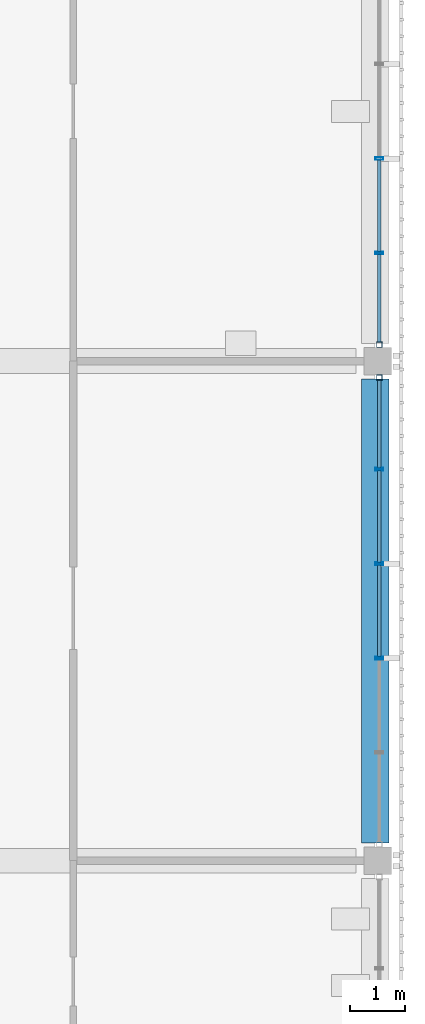
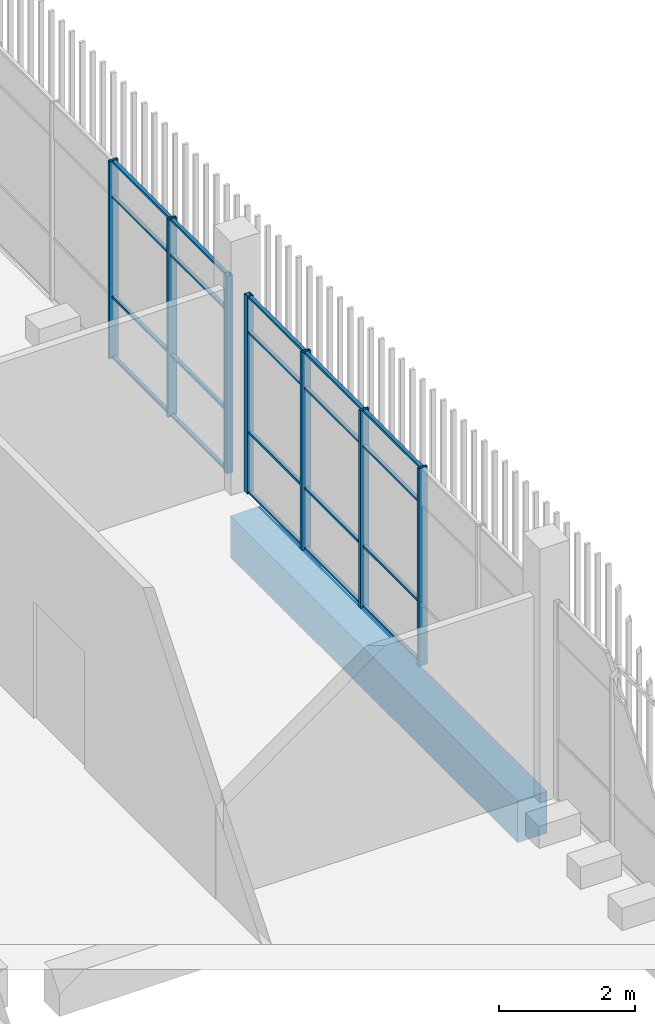
# One storey, part 58 of 139: 27 members, 1 beam, 2 elements without a shape of their own.
"""IFC4 building model written with IfcOpenShell, lengths in metres."""

from ifc_helpers import new_model, si_unit, direction, frame, origin, origin_2d, place, context, subcontext, project, spatial, rectangle, hollow_rectangle, extrude, material, layer, layer_set, material_profile, profile_set, type_object, element, aggregate, save


model = new_model("IFC4")

# Units and contexts
model_context = context("Model", 3, precision=1e-05, world=origin(), true_north=direction((0.0, 1.0)))
body_context = subcontext(model_context, "Body", "Model", "MODEL_VIEW")
ifc_project = project(units=[si_unit("LENGTHUNIT", "METRE"), si_unit("AREAUNIT", "SQUARE_METRE"), si_unit("VOLUMEUNIT", "CUBIC_METRE"), si_unit("PLANEANGLEUNIT", "RADIAN"), si_unit("MASSUNIT", "GRAM", prefix="KILO")], contexts=[model_context])

# Site, building, storey
site_placement = place(None, origin())
site = spatial("IfcSite", under=ifc_project, at=site_placement, CompositionType="ELEMENT")
building_placement = place(site_placement, origin())
building = spatial("IfcBuilding", under=site, at=building_placement, Name="Shirokan Park Arena", CompositionType="ELEMENT")
storey_placement = place(building_placement, frame((0.0, 0.0, 15.469970703125)))
storey = spatial("IfcBuildingStorey", under=building, at=storey_placement, Name="L03", CompositionType="ELEMENT", Elevation=15.469970703125)

# Curtain wall, member
ifc_material_1 = material(Name="Steel and glass curtain wall", Category="steel")
ifc_layer = layer(ifc_material_1, 0.14990234375)
ifc_layer_set = layer_set([ifc_layer], Name="Steel and glass curtain wall 150 mm")
curtain_wall_type = type_object("IfcCurtainWallType", Name="Curtain wall exposed bay 150", PredefinedType="NOTDEFINED", material=ifc_layer_set)
curtain_wall_1_placement = place(storey_placement, origin())
curtain_wall_1 = element("IfcCurtainWall", 1, at=curtain_wall_1_placement, inside=storey, type_object=curtain_wall_type, Name="Curtain wall east bay 6 L03", PredefinedType="NOTDEFINED")
ifc_material_2 = material(Name="Steel S355", Category="steel")
ifc_material_profile_1 = material_profile(ifc_material_2, hollow_rectangle(XDim=0.10009765625, YDim=0.10009765625, WallThickness=0.006103515625, at=origin_2d()), Name="RHS 100x100x6")
ifc_profile_set_1 = profile_set([ifc_material_profile_1], Name="Steel S355")
member_type_1 = type_object("IfcMemberType", Name="Mullion RHS 100x100x6", PredefinedType="MULLION", material=ifc_profile_set_1)
member_1_placement = place(storey_placement, frame((145.675048828125, 54.300048828125, 0.0), z_axis=(0.0, 0.0, 1.0), x_axis=(-1.0, 0.0, 0.0)))
member_1 = element("IfcMember", 2, at=member_1_placement, type_object=member_type_1, Name="CW1 mullion 6", PredefinedType="MULLION", context=body_context, shape_type="SweptSolid", body=[
    extrude(hollow_rectangle(XDim=0.10009765625, YDim=0.10009765625, WallThickness=0.006103515625, at=origin_2d()), origin(), (0.0, 0.0, 1.0), 3.550048828125),
])

curtain_wall_2_placement = place(storey_placement, origin())
curtain_wall_2 = element("IfcCurtainWall", 3, at=curtain_wall_2_placement, inside=storey, type_object=curtain_wall_type, Name="Curtain wall east bay 7 L03", PredefinedType="NOTDEFINED")
member_2_placement = place(storey_placement, frame((145.675048828125, 54.89990234375, 0.0), z_axis=(0.0, 0.0, 1.0), x_axis=(-1.0, 0.0, 0.0)))
member_2 = element("IfcMember", 4, at=member_2_placement, type_object=member_type_1, Name="CW1 mullion 1", PredefinedType="MULLION", context=body_context, shape_type="SweptSolid", body=[
    extrude(hollow_rectangle(XDim=0.10009765625, YDim=0.10009765625, WallThickness=0.006103515625, at=origin_2d()), origin(), (0.0, 0.0, 1.0), 3.550048828125),
])

# Member
ifc_material_profile_2 = material_profile(ifc_material_2, hollow_rectangle(XDim=0.14990234375, YDim=0.050048828125, WallThickness=0.006103515625, at=origin_2d()), Name="RHS 150x50x6")
ifc_profile_set_2 = profile_set([ifc_material_profile_2], Name="Steel S355")
member_type_2 = type_object("IfcMemberType", Name="Mullion RHS 150x50x6", PredefinedType="MULLION", material=ifc_profile_set_2)
member_3_placement = place(storey_placement, frame((145.675048828125, 49.18994140625, 0.0), z_axis=(0.0, 0.0, 1.0), x_axis=(-1.0, 0.0, 0.0)))
member_3 = element("IfcMember", 5, at=member_3_placement, type_object=member_type_2, Name="CW1 mullion 3", PredefinedType="MULLION", context=body_context, shape_type="SweptSolid", body=[
    extrude(hollow_rectangle(XDim=0.14990234375, YDim=0.050048828125, WallThickness=0.006103515625, at=origin_2d()), origin(), (0.0, 0.0, 1.0), 3.550048828125),
])

member_4_placement = place(storey_placement, frame((145.675048828125, 50.909912109375, 0.0), z_axis=(0.0, 0.0, 1.0), x_axis=(-1.0, 0.0, 0.0)))
member_4 = element("IfcMember", 6, at=member_4_placement, type_object=member_type_2, Name="CW1 mullion 4", PredefinedType="MULLION", context=body_context, shape_type="SweptSolid", body=[
    extrude(hollow_rectangle(XDim=0.14990234375, YDim=0.050048828125, WallThickness=0.006103515625, at=origin_2d()), origin(), (0.0, 0.0, 1.0), 3.550048828125),
])

member_5_placement = place(storey_placement, frame((145.675048828125, 52.6298828125, 0.0), z_axis=(0.0, 0.0, 1.0), x_axis=(-1.0, 0.0, 0.0)))
member_5 = element("IfcMember", 7, at=member_5_placement, type_object=member_type_2, Name="CW1 mullion 5", PredefinedType="MULLION", context=body_context, shape_type="SweptSolid", body=[
    extrude(hollow_rectangle(XDim=0.14990234375, YDim=0.050048828125, WallThickness=0.006103515625, at=origin_2d()), origin(), (0.0, 0.0, 1.0), 3.550048828125),
])

member_6_placement = place(storey_placement, frame((145.675048828125, 56.570068359375, 0.0), z_axis=(0.0, 0.0, 1.0), x_axis=(-1.0, 0.0, 0.0)))
member_6 = element("IfcMember", 8, at=member_6_placement, type_object=member_type_2, Name="CW1 mullion 2", PredefinedType="MULLION", context=body_context, shape_type="SweptSolid", body=[
    extrude(hollow_rectangle(XDim=0.14990234375, YDim=0.050048828125, WallThickness=0.006103515625, at=origin_2d()), origin(), (0.0, 0.0, 1.0), 3.550048828125),
])

member_7_placement = place(storey_placement, frame((145.675048828125, 58.2900390625, 0.0), z_axis=(0.0, 0.0, 1.0), x_axis=(-1.0, 0.0, 0.0)))
member_7 = element("IfcMember", 9, at=member_7_placement, type_object=member_type_2, Name="CW1 mullion 3", PredefinedType="MULLION", context=body_context, shape_type="SweptSolid", body=[
    extrude(hollow_rectangle(XDim=0.14990234375, YDim=0.050048828125, WallThickness=0.006103515625, at=origin_2d()), origin(), (0.0, 0.0, 1.0), 3.550048828125),
])

# Beam
ifc_material_3 = material(Name="Concrete C35", Category="concrete")
ifc_material_profile_3 = material_profile(ifc_material_3, rectangle(XDim=0.5, YDim=0.75, at=origin_2d()), Name="500x750")
ifc_profile_set_3 = profile_set([ifc_material_profile_3], Name="Concrete C35")
beam_type = type_object("IfcBeamType", Name="RC girder 500x750", PredefinedType="BEAM", material=ifc_profile_set_3)
beam_placement = place(storey_placement, frame((145.60009765625, 45.8251953125, -0.675048828125), z_axis=(0.0, 1.0, 0.0), x_axis=(-1.0, 0.0, 0.0)))
element("IfcBeam", 10, at=beam_placement, inside=storey, type_object=beam_type, Name="Girder 17F-17G L03", PredefinedType="BEAM", context=body_context, shape_type="SweptSolid", body=[
    extrude(rectangle(XDim=0.5, YDim=0.75, at=origin_2d()), origin(), (0.0, 0.0, 1.0), 8.44970703125),
])

# Member
ifc_material_profile_4 = material_profile(ifc_material_2, hollow_rectangle(XDim=0.06005859375, YDim=0.0400390625, WallThickness=0.00390625, at=origin_2d()), Name="RHS 60x40x4")
ifc_profile_set_4 = profile_set([ifc_material_profile_4], Name="Steel S355")
member_type_3 = type_object("IfcMemberType", Name="Transom RHS 60x40x4", PredefinedType="MULLION", material=ifc_profile_set_4)
member_8_placement = place(storey_placement, frame((145.675048828125, 49.215087890625, 0.02001953125), z_axis=(0.0, 1.0, 0.0), x_axis=(-1.0, 0.0, 0.0)))
member_8 = element("IfcMember", 11, at=member_8_placement, type_object=member_type_3, Name="CW1 transom 3.1", PredefinedType="MULLION", context=body_context, shape_type="SweptSolid", body=[
    extrude(hollow_rectangle(XDim=0.06005859375, YDim=0.0400390625, WallThickness=0.00390625, at=origin_2d()), origin(), (0.0, 0.0, 1.0), 1.669921875),
])

member_9_placement = place(storey_placement, frame((145.675048828125, 49.215087890625, 1.10009765625), z_axis=(0.0, 1.0, 0.0), x_axis=(-1.0, 0.0, 0.0)))
member_9 = element("IfcMember", 12, at=member_9_placement, type_object=member_type_3, Name="CW1 transom 3.2", PredefinedType="MULLION", context=body_context, shape_type="SweptSolid", body=[
    extrude(hollow_rectangle(XDim=0.06005859375, YDim=0.0400390625, WallThickness=0.00390625, at=origin_2d()), origin(), (0.0, 0.0, 1.0), 1.669921875),
])

member_10_placement = place(storey_placement, frame((145.675048828125, 49.215087890625, 2.900146484375), z_axis=(0.0, 1.0, 0.0), x_axis=(-1.0, 0.0, 0.0)))
member_10 = element("IfcMember", 13, at=member_10_placement, type_object=member_type_3, Name="CW1 transom 3.3", PredefinedType="MULLION", context=body_context, shape_type="SweptSolid", body=[
    extrude(hollow_rectangle(XDim=0.06005859375, YDim=0.0400390625, WallThickness=0.00390625, at=origin_2d()), origin(), (0.0, 0.0, 1.0), 1.669921875),
])

member_11_placement = place(storey_placement, frame((145.675048828125, 49.215087890625, 3.530029296875), z_axis=(0.0, 1.0, 0.0), x_axis=(-1.0, 0.0, 0.0)))
member_11 = element("IfcMember", 14, at=member_11_placement, type_object=member_type_3, Name="CW1 transom 3.4", PredefinedType="MULLION", context=body_context, shape_type="SweptSolid", body=[
    extrude(hollow_rectangle(XDim=0.06005859375, YDim=0.0400390625, WallThickness=0.00390625, at=origin_2d()), origin(), (0.0, 0.0, 1.0), 1.669921875),
])

member_12_placement = place(storey_placement, frame((145.675048828125, 50.93505859375, 0.02001953125), z_axis=(0.0, 1.0, 0.0), x_axis=(-1.0, 0.0, 0.0)))
member_12 = element("IfcMember", 15, at=member_12_placement, type_object=member_type_3, Name="CW1 transom 4.1", PredefinedType="MULLION", context=body_context, shape_type="SweptSolid", body=[
    extrude(hollow_rectangle(XDim=0.06005859375, YDim=0.0400390625, WallThickness=0.00390625, at=origin_2d()), origin(), (0.0, 0.0, 1.0), 1.669921875),
])

member_13_placement = place(storey_placement, frame((145.675048828125, 50.93505859375, 1.10009765625), z_axis=(0.0, 1.0, 0.0), x_axis=(-1.0, 0.0, 0.0)))
member_13 = element("IfcMember", 16, at=member_13_placement, type_object=member_type_3, Name="CW1 transom 4.2", PredefinedType="MULLION", context=body_context, shape_type="SweptSolid", body=[
    extrude(hollow_rectangle(XDim=0.06005859375, YDim=0.0400390625, WallThickness=0.00390625, at=origin_2d()), origin(), (0.0, 0.0, 1.0), 1.669921875),
])

member_14_placement = place(storey_placement, frame((145.675048828125, 50.93505859375, 2.900146484375), z_axis=(0.0, 1.0, 0.0), x_axis=(-1.0, 0.0, 0.0)))
member_14 = element("IfcMember", 17, at=member_14_placement, type_object=member_type_3, Name="CW1 transom 4.3", PredefinedType="MULLION", context=body_context, shape_type="SweptSolid", body=[
    extrude(hollow_rectangle(XDim=0.06005859375, YDim=0.0400390625, WallThickness=0.00390625, at=origin_2d()), origin(), (0.0, 0.0, 1.0), 1.669921875),
])

member_15_placement = place(storey_placement, frame((145.675048828125, 50.93505859375, 3.530029296875), z_axis=(0.0, 1.0, 0.0), x_axis=(-1.0, 0.0, 0.0)))
member_15 = element("IfcMember", 18, at=member_15_placement, type_object=member_type_3, Name="CW1 transom 4.4", PredefinedType="MULLION", context=body_context, shape_type="SweptSolid", body=[
    extrude(hollow_rectangle(XDim=0.06005859375, YDim=0.0400390625, WallThickness=0.00390625, at=origin_2d()), origin(), (0.0, 0.0, 1.0), 1.669921875),
])

member_16_placement = place(storey_placement, frame((145.675048828125, 52.655029296875, 0.02001953125), z_axis=(0.0, 1.0, 0.0), x_axis=(-1.0, 0.0, 0.0)))
member_16 = element("IfcMember", 19, at=member_16_placement, type_object=member_type_3, Name="CW1 transom 5.1", PredefinedType="MULLION", context=body_context, shape_type="SweptSolid", body=[
    extrude(hollow_rectangle(XDim=0.06005859375, YDim=0.0400390625, WallThickness=0.00390625, at=origin_2d()), origin(), (0.0, 0.0, 1.0), 1.594970703125),
])

member_17_placement = place(storey_placement, frame((145.675048828125, 52.655029296875, 1.10009765625), z_axis=(0.0, 1.0, 0.0), x_axis=(-1.0, 0.0, 0.0)))
member_17 = element("IfcMember", 20, at=member_17_placement, type_object=member_type_3, Name="CW1 transom 5.2", PredefinedType="MULLION", context=body_context, shape_type="SweptSolid", body=[
    extrude(hollow_rectangle(XDim=0.06005859375, YDim=0.0400390625, WallThickness=0.00390625, at=origin_2d()), origin(), (0.0, 0.0, 1.0), 1.594970703125),
])

member_18_placement = place(storey_placement, frame((145.675048828125, 52.655029296875, 2.900146484375), z_axis=(0.0, 1.0, 0.0), x_axis=(-1.0, 0.0, 0.0)))
member_18 = element("IfcMember", 21, at=member_18_placement, type_object=member_type_3, Name="CW1 transom 5.3", PredefinedType="MULLION", context=body_context, shape_type="SweptSolid", body=[
    extrude(hollow_rectangle(XDim=0.06005859375, YDim=0.0400390625, WallThickness=0.00390625, at=origin_2d()), origin(), (0.0, 0.0, 1.0), 1.594970703125),
])

member_19_placement = place(storey_placement, frame((145.675048828125, 52.655029296875, 3.530029296875), z_axis=(0.0, 1.0, 0.0), x_axis=(-1.0, 0.0, 0.0)))
member_19 = element("IfcMember", 22, at=member_19_placement, type_object=member_type_3, Name="CW1 transom 5.4", PredefinedType="MULLION", context=body_context, shape_type="SweptSolid", body=[
    extrude(hollow_rectangle(XDim=0.06005859375, YDim=0.0400390625, WallThickness=0.00390625, at=origin_2d()), origin(), (0.0, 0.0, 1.0), 1.594970703125),
])

aggregate(curtain_wall_1, [member_3, member_4, member_5, member_1, member_8, member_9, member_10, member_11, member_12, member_13, member_14, member_15, member_16, member_17, member_18, member_19])

member_20_placement = place(storey_placement, frame((145.675048828125, 54.949951171875, 0.02001953125), z_axis=(0.0, 1.0, 0.0), x_axis=(-1.0, 0.0, 0.0)))
member_20 = element("IfcMember", 23, at=member_20_placement, type_object=member_type_3, Name="CW1 transom 1.1", PredefinedType="MULLION", context=body_context, shape_type="SweptSolid", body=[
    extrude(hollow_rectangle(XDim=0.06005859375, YDim=0.0400390625, WallThickness=0.00390625, at=origin_2d()), origin(), (0.0, 0.0, 1.0), 1.594970703125),
])

member_21_placement = place(storey_placement, frame((145.675048828125, 54.949951171875, 1.10009765625), z_axis=(0.0, 1.0, 0.0), x_axis=(-1.0, 0.0, 0.0)))
member_21 = element("IfcMember", 24, at=member_21_placement, type_object=member_type_3, Name="CW1 transom 1.2", PredefinedType="MULLION", context=body_context, shape_type="SweptSolid", body=[
    extrude(hollow_rectangle(XDim=0.06005859375, YDim=0.0400390625, WallThickness=0.00390625, at=origin_2d()), origin(), (0.0, 0.0, 1.0), 1.594970703125),
])

member_22_placement = place(storey_placement, frame((145.675048828125, 54.949951171875, 2.900146484375), z_axis=(0.0, 1.0, 0.0), x_axis=(-1.0, 0.0, 0.0)))
member_22 = element("IfcMember", 25, at=member_22_placement, type_object=member_type_3, Name="CW1 transom 1.3", PredefinedType="MULLION", context=body_context, shape_type="SweptSolid", body=[
    extrude(hollow_rectangle(XDim=0.06005859375, YDim=0.0400390625, WallThickness=0.00390625, at=origin_2d()), origin(), (0.0, 0.0, 1.0), 1.594970703125),
])

member_23_placement = place(storey_placement, frame((145.675048828125, 54.949951171875, 3.530029296875), z_axis=(0.0, 1.0, 0.0), x_axis=(-1.0, 0.0, 0.0)))
member_23 = element("IfcMember", 26, at=member_23_placement, type_object=member_type_3, Name="CW1 transom 1.4", PredefinedType="MULLION", context=body_context, shape_type="SweptSolid", body=[
    extrude(hollow_rectangle(XDim=0.06005859375, YDim=0.0400390625, WallThickness=0.00390625, at=origin_2d()), origin(), (0.0, 0.0, 1.0), 1.594970703125),
])

member_24_placement = place(storey_placement, frame((145.675048828125, 56.594970703125, 0.02001953125), z_axis=(0.0, 1.0, 0.0), x_axis=(-1.0, 0.0, 0.0)))
member_24 = element("IfcMember", 27, at=member_24_placement, type_object=member_type_3, Name="CW1 transom 2.1", PredefinedType="MULLION", context=body_context, shape_type="SweptSolid", body=[
    extrude(hollow_rectangle(XDim=0.06005859375, YDim=0.0400390625, WallThickness=0.00390625, at=origin_2d()), origin(), (0.0, 0.0, 1.0), 1.669921875),
])

member_25_placement = place(storey_placement, frame((145.675048828125, 56.594970703125, 1.10009765625), z_axis=(0.0, 1.0, 0.0), x_axis=(-1.0, 0.0, 0.0)))
member_25 = element("IfcMember", 28, at=member_25_placement, type_object=member_type_3, Name="CW1 transom 2.2", PredefinedType="MULLION", context=body_context, shape_type="SweptSolid", body=[
    extrude(hollow_rectangle(XDim=0.06005859375, YDim=0.0400390625, WallThickness=0.00390625, at=origin_2d()), origin(), (0.0, 0.0, 1.0), 1.669921875),
])

member_26_placement = place(storey_placement, frame((145.675048828125, 56.594970703125, 2.900146484375), z_axis=(0.0, 1.0, 0.0), x_axis=(-1.0, 0.0, 0.0)))
member_26 = element("IfcMember", 29, at=member_26_placement, type_object=member_type_3, Name="CW1 transom 2.3", PredefinedType="MULLION", context=body_context, shape_type="SweptSolid", body=[
    extrude(hollow_rectangle(XDim=0.06005859375, YDim=0.0400390625, WallThickness=0.00390625, at=origin_2d()), origin(), (0.0, 0.0, 1.0), 1.669921875),
])

member_27_placement = place(storey_placement, frame((145.675048828125, 56.594970703125, 3.530029296875), z_axis=(0.0, 1.0, 0.0), x_axis=(-1.0, 0.0, 0.0)))
member_27 = element("IfcMember", 30, at=member_27_placement, type_object=member_type_3, Name="CW1 transom 2.4", PredefinedType="MULLION", context=body_context, shape_type="SweptSolid", body=[
    extrude(hollow_rectangle(XDim=0.06005859375, YDim=0.0400390625, WallThickness=0.00390625, at=origin_2d()), origin(), (0.0, 0.0, 1.0), 1.669921875),
])

aggregate(curtain_wall_2, [member_2, member_6, member_7, member_20, member_21, member_22, member_23, member_24, member_25, member_26, member_27])

save(model, "model.ifc")
